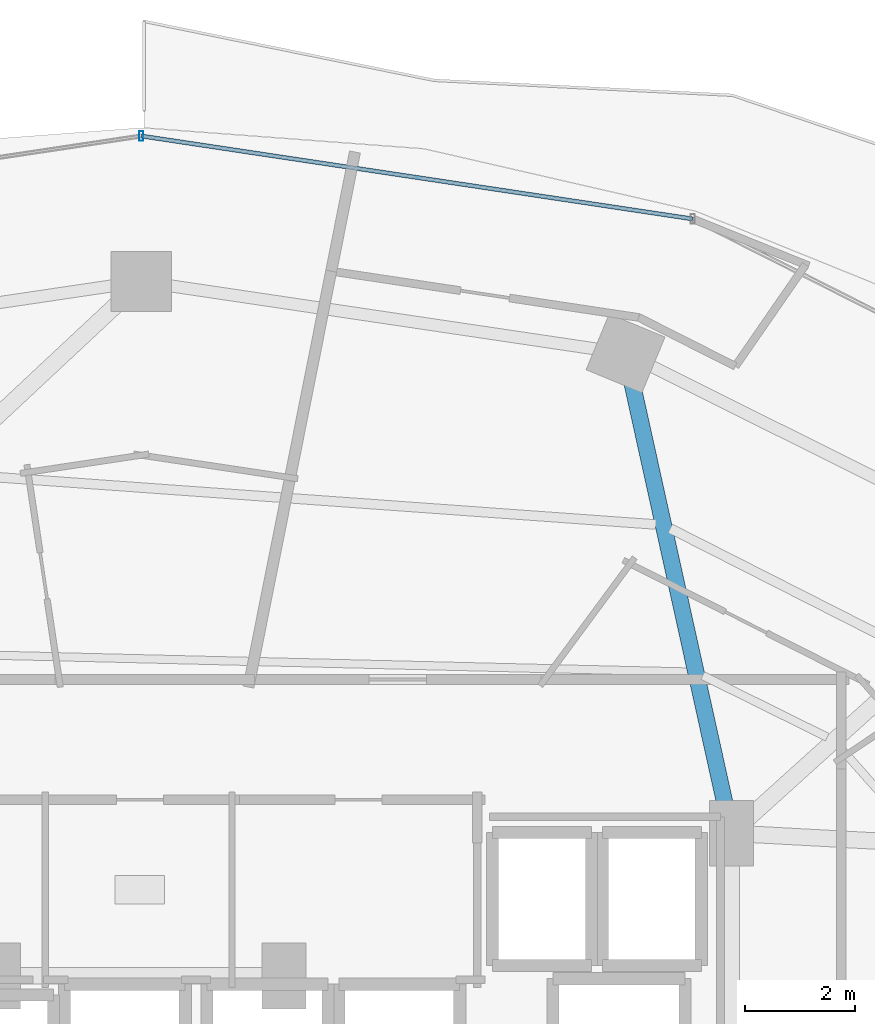
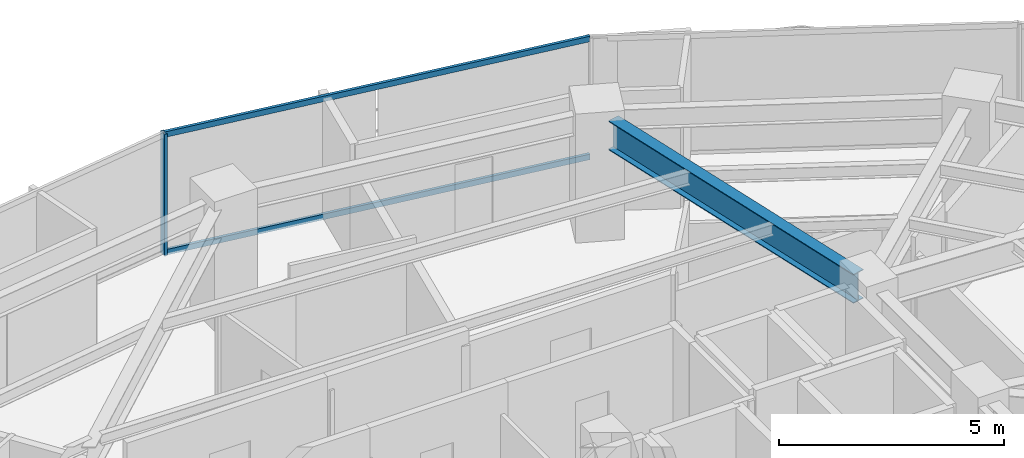
# One storey, part 20 of 30: 3 members, 1 beam, 1 element without a shape of its own.
"""IFC4 building model written with IfcOpenShell, lengths in metres."""

from ifc_helpers import new_model, si_unit, direction, frame, origin, origin_2d, place, context, subcontext, project, spatial, hollow_rectangle, i_section, extrude, material, material_profile, profile_set, type_object, element, aggregate, save


model = new_model("IFC4")

# Units and contexts
model_context = context("Model", 3, precision=1e-05, world=origin(), true_north=direction((0.0, 1.0)))
body_context = subcontext(model_context, "Body", "Model", "MODEL_VIEW")
ifc_project = project(units=[si_unit("LENGTHUNIT", "METRE"), si_unit("AREAUNIT", "SQUARE_METRE"), si_unit("VOLUMEUNIT", "CUBIC_METRE"), si_unit("PLANEANGLEUNIT", "RADIAN"), si_unit("MASSUNIT", "GRAM", prefix="KILO")], contexts=[model_context])

# Site, building, storey
site_placement = place(None, origin())
site = spatial("IfcSite", under=ifc_project, at=site_placement, CompositionType="ELEMENT")
building_placement = place(site_placement, origin())
building = spatial("IfcBuilding", under=site, at=building_placement, Name="Vorneva Point Tower", CompositionType="ELEMENT")
storey_placement = place(building_placement, frame((0.0, 0.0, 78.800048828125)))
storey = spatial("IfcBuildingStorey", under=building, at=storey_placement, Name="L20", CompositionType="ELEMENT", Elevation=78.800048828125)

# Beam
ifc_material_1 = material(Name="Steel S355", Category="steel")
ifc_material_profile_1 = material_profile(ifc_material_1, i_section(OverallWidth=0.300048828125, OverallDepth=0.7880859375, WebThickness=0.014404296875, FlangeThickness=0.02197265625, at=origin_2d()), Name="80Sh1")
ifc_profile_set_1 = profile_set([ifc_material_profile_1], Name="Steel S355")
beam_type = type_object("IfcBeamType", Name="BM-GRD-80Sh1", PredefinedType="USERDEFINED", material=ifc_profile_set_1)
beam_placement = place(storey_placement, frame((46.936767578125, 41.365234375, 2.845947265625), z_axis=(0.215530944428, -0.976497010745, 0.0), x_axis=(0.976497010745, 0.215530944428, 0.0)))
element("IfcBeam", 1, at=beam_placement, inside=storey, type_object=beam_type, Name="L20 Radial Primary Girder 04", ObjectType="GIRDER", PredefinedType="USERDEFINED", context=body_context, shape_type="SweptSolid", body=[
    extrude(i_section(OverallWidth=0.300048828125, OverallDepth=0.7880859375, WebThickness=0.014404296875, FlangeThickness=0.02197265625, at=origin_2d()), origin(), (0.0, 0.0, 1.0), 8.072998046875),
])

# Curtain wall, members
ifc_material_2 = material(Name="Pale anodised aluminium", Category="aluminium")
curtain_wall_type = type_object("IfcCurtainWallType", Name="CW-HTL-SYS", PredefinedType="NOTDEFINED", material=ifc_material_2)
curtain_wall_placement = place(storey_placement, origin())
curtain_wall = element("IfcCurtainWall", 2, at=curtain_wall_placement, inside=storey, type_object=curtain_wall_type, Name="L20 Unitised Curtain Wall CW-L20-R01", PredefinedType="NOTDEFINED")
ifc_material_profile_2 = material_profile(ifc_material_2, hollow_rectangle(XDim=0.074951171875, YDim=0.179931640625, WallThickness=0.00390625, at=origin_2d()), Name="AL-MUL 180x75x4")
ifc_profile_set_2 = profile_set([ifc_material_profile_2], Name="Pale anodised aluminium")
member_type_1 = type_object("IfcMemberType", Name="CW-MUL-180", PredefinedType="MULLION", material=ifc_profile_set_2)
member_1_placement = place(storey_placement, frame((38.0, 45.85009765625, -0.0400390625), z_axis=(0.0, 0.0, 1.0), x_axis=(1.0, 0.0, 0.0)))
member_1 = element("IfcMember", 3, at=member_1_placement, type_object=member_type_1, Name="CW-L20-R01 Mullion 04", PredefinedType="MULLION", context=body_context, shape_type="SweptSolid", body=[
    extrude(hollow_rectangle(XDim=0.074951171875, YDim=0.179931640625, WallThickness=0.00390625, at=origin_2d()), origin(), (0.0, 0.0, 1.0), 3.31005859375),
])
ifc_material_profile_3 = material_profile(ifc_material_2, hollow_rectangle(XDim=0.074951171875, YDim=0.14990234375, WallThickness=0.00390625, at=origin_2d()), Name="AL-TRN 150x75x4")
ifc_profile_set_3 = profile_set([ifc_material_profile_3], Name="Pale anodised aluminium")
member_type_2 = type_object("IfcMemberType", Name="CW-TRN-150", PredefinedType="USERDEFINED", material=ifc_profile_set_3)
member_2_placement = place(storey_placement, frame((48.04541015625, 44.339111328125, 0.02001953125), z_axis=(-0.988875982167, 0.148742367512, 0.0), x_axis=(-0.148742367512, -0.988875982167, 0.0)))
member_2 = element("IfcMember", 4, at=member_2_placement, type_object=member_type_2, Name="CW-L20-R01 Transom 03.1", ObjectType="TRANSOM", PredefinedType="USERDEFINED", context=body_context, shape_type="SweptSolid", body=[
    extrude(hollow_rectangle(XDim=0.074951171875, YDim=0.14990234375, WallThickness=0.00390625, at=origin_2d()), origin(), (0.0, 0.0, 1.0), 10.158447265625),
])
member_3_placement = place(storey_placement, frame((48.04541015625, 44.339111328125, 3.219970703125), z_axis=(-0.988875982167, 0.148742367512, 0.0), x_axis=(-0.148742367512, -0.988875982167, 0.0)))
member_3 = element("IfcMember", 5, at=member_3_placement, type_object=member_type_2, Name="CW-L20-R01 Transom 03.2", ObjectType="TRANSOM", PredefinedType="USERDEFINED", context=body_context, shape_type="SweptSolid", body=[
    extrude(hollow_rectangle(XDim=0.074951171875, YDim=0.14990234375, WallThickness=0.00390625, at=origin_2d()), origin(), (0.0, 0.0, 1.0), 10.158447265625),
])
aggregate(curtain_wall, [member_1, member_2, member_3])

save(model, "model.ifc")
